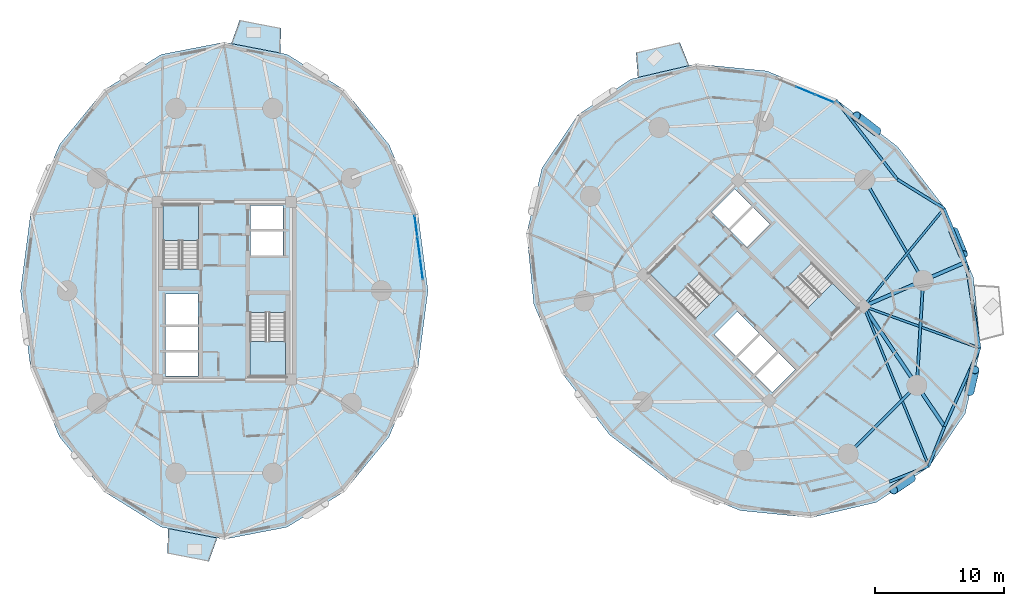
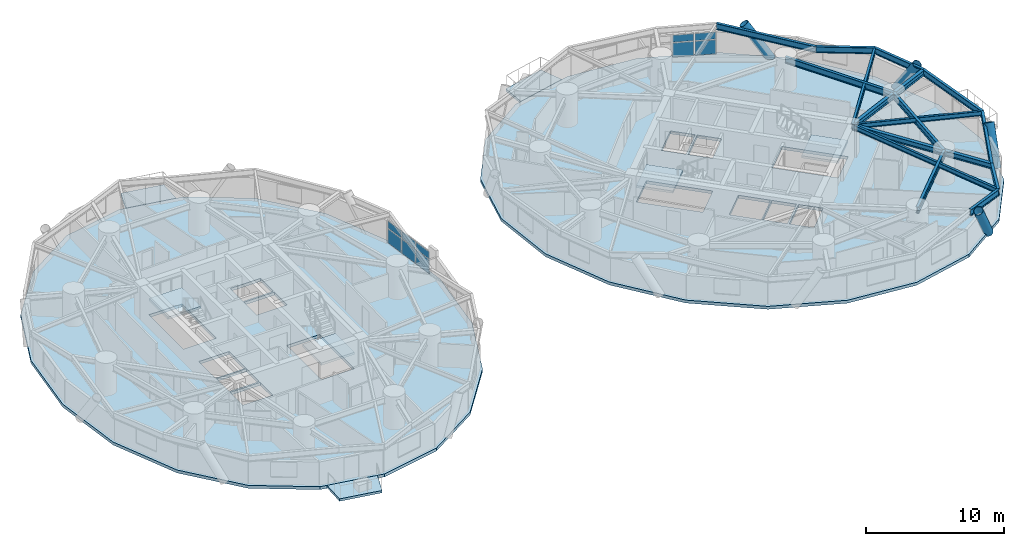
# One storey, part 7 of 19: 15 beams, 10 plates, 9 slabs, 4 members, 6 elements without a shape of their own.
"""IFC4 building model written with IfcOpenShell, lengths in metres."""

from ifc_helpers import new_model, si_unit, direction, frame, origin, origin_2d, place, context, subcontext, project, spatial, polyline, rectangle, hollow_circle, i_section, outline, extrude, source, transform, mapped, material, layer, layer_set, material_profile, profile_set, type_object, element, aggregate, save


model = new_model("IFC4")

# Units and contexts
model_context = context("Model", 3, precision=1e-05, world=origin(), true_north=direction((0.0, 1.0)))
body_context = subcontext(model_context, "Body", "Model", "MODEL_VIEW")
ifc_project = project(units=[si_unit("LENGTHUNIT", "METRE"), si_unit("AREAUNIT", "SQUARE_METRE"), si_unit("VOLUMEUNIT", "CUBIC_METRE"), si_unit("PLANEANGLEUNIT", "RADIAN"), si_unit("MASSUNIT", "GRAM", prefix="KILO")], contexts=[model_context])

# Site, building, storey
site_placement = place(None, origin())
site = spatial("IfcSite", under=ifc_project, at=site_placement, CompositionType="ELEMENT")
building_placement = place(site_placement, origin())
building = spatial("IfcBuilding", under=site, at=building_placement, Name="Cununo Teusaquillo Station Towers", CompositionType="ELEMENT")
storey_placement = place(building_placement, frame((0.0, 0.0, 42.3701171875)))
storey = spatial("IfcBuildingStorey", under=building, at=storey_placement, Name="L12", CompositionType="ELEMENT", Elevation=42.3701171875)

# Beams
ifc_material_1 = material(Name="Steel ASTM A572 Grade 50", Category="steel")
ifc_material_profile_1 = material_profile(ifc_material_1, i_section(OverallWidth=0.180908203125, OverallDepth=0.4169921875, WebThickness=0.010986328125, FlangeThickness=0.018310546875, FilletRadius=0.012939453125, at=origin_2d()), Name="W16X57")
ifc_profile_set_1 = profile_set([ifc_material_profile_1], Name="Steel ASTM A572 Grade 50")
beam_type_1 = type_object("IfcBeamType", Name="BM-JOIST-1", PredefinedType="JOIST", material=ifc_profile_set_1)
beam_1_placement = place(storey_placement, frame((66.024169921875, 23.29443359375, 2.44140625), z_axis=(0.377815437796, -0.92588092915, 0.0), x_axis=(0.92588092915, 0.377815437796, 0.0)))
element("IfcBeam", 1, at=beam_1_placement, inside=storey, type_object=beam_type_1, Name="L12 Tower B Radial Spandrel Joist V15", PredefinedType="JOIST", context=body_context, shape_type="SweptSolid", body=[
    extrude(i_section(OverallWidth=0.180908203125, OverallDepth=0.4169921875, WebThickness=0.010986328125, FlangeThickness=0.018310546875, FilletRadius=0.012939453125, at=origin_2d()), origin(), (0.0, 0.0, 1.0), 13.353515625),
])
beam_2_placement = place(storey_placement, frame((66.024169921875, 23.29443359375, 2.44140625), z_axis=(0.940761914171, -0.33906787056, 0.0), x_axis=(0.33906787056, 0.940761914171, 0.0)))
element("IfcBeam", 2, at=beam_2_placement, inside=storey, type_object=beam_type_1, Name="L12 Tower B Radial Spandrel Joist V17", PredefinedType="JOIST", context=body_context, shape_type="SweptSolid", body=[
    extrude(i_section(OverallWidth=0.180908203125, OverallDepth=0.4169921875, WebThickness=0.010986328125, FlangeThickness=0.018310546875, FilletRadius=0.012939453125, at=origin_2d()), origin(), (0.0, 0.0, 1.0), 9.552734375),
])
beam_3_placement = place(storey_placement, frame((66.024169921875, 23.29443359375, 2.44140625), z_axis=(0.635389148475, 0.772192093976, 0.0), x_axis=(-0.772192093976, 0.635389148475, 0.0)))
element("IfcBeam", 3, at=beam_3_placement, inside=storey, type_object=beam_type_1, Name="L12 Tower B Radial Spandrel Joist V19", PredefinedType="JOIST", context=body_context, shape_type="SweptSolid", body=[
    extrude(i_section(OverallWidth=0.180908203125, OverallDepth=0.4169921875, WebThickness=0.010986328125, FlangeThickness=0.018310546875, FilletRadius=0.012939453125, at=origin_2d()), origin(), (0.0, 0.0, 1.0), 9.82080078125),
])
ifc_material_2 = material(Name="Steel ASTM A572 Grade 50", Category="steel")
ifc_material_profile_2 = material_profile(ifc_material_2, i_section(OverallWidth=0.280029296875, OverallDepth=0.462890625, WebThickness=0.0107421875, FlangeThickness=0.017333984375, FilletRadius=0.013916015625, at=origin_2d()), Name="W18X76")
ifc_profile_set_2 = profile_set([ifc_material_profile_2], Name="Steel ASTM A572 Grade 50")
beam_type_2 = type_object("IfcBeamType", Name="BM-RAD-G1", PredefinedType="BEAM", material=ifc_profile_set_2)
beam_4_placement = place(storey_placement, frame((66.024169921875, 23.29443359375, 2.41845703125), z_axis=(0.558565249978, -0.829460584667, 0.0), x_axis=(0.829460584667, 0.558565249978, 0.0)))
element("IfcBeam", 4, at=beam_4_placement, inside=storey, type_object=beam_type_2, Name="L12 Tower B Continuous Overhanging Radial Girder 09", PredefinedType="BEAM", context=body_context, shape_type="SweptSolid", body=[
    extrude(i_section(OverallWidth=0.280029296875, OverallDepth=0.462890625, WebThickness=0.0107421875, FlangeThickness=0.017333984375, FilletRadius=0.013916015625, at=origin_2d()), origin(), (0.0, 0.0, 1.0), 11.22119140625),
])
beam_5_placement = place(storey_placement, frame((66.024169921875, 23.29443359375, 2.41845703125), z_axis=(0.91765947108, 0.397367707718, 0.0), x_axis=(-0.397367707718, 0.91765947108, 0.0)))
element("IfcBeam", 5, at=beam_5_placement, inside=storey, type_object=beam_type_2, Name="L12 Tower B Continuous Overhanging Radial Girder 10", PredefinedType="BEAM", context=body_context, shape_type="SweptSolid", body=[
    extrude(i_section(OverallWidth=0.280029296875, OverallDepth=0.462890625, WebThickness=0.0107421875, FlangeThickness=0.017333984375, FilletRadius=0.013916015625, at=origin_2d()), origin(), (0.0, 0.0, 1.0), 8.631591796875),
])
ifc_material_3 = material(Name="Steel ASTM A572 Grade 50", Category="steel")
ifc_material_profile_3 = material_profile(ifc_material_3, i_section(OverallWidth=0.214111328125, OverallDepth=0.549072265625, WebThickness=0.0146484375, FlangeThickness=0.023681640625, FilletRadius=0.014892578125, at=origin_2d()), Name="W21X93")
ifc_profile_set_3 = profile_set([ifc_material_profile_3], Name="Steel ASTM A572 Grade 50")
beam_type_3 = type_object("IfcBeamType", Name="BM-RING-Z1", PredefinedType="SPANDREL", material=ifc_profile_set_3)
beam_6_placement = place(storey_placement, frame((64.826904296875, 11.853759765625, 2.37548828125), z_axis=(0.707106781187, 0.707106781187, 0.0), x_axis=(-0.707106781187, 0.707106781187, 0.0)))
element("IfcBeam", 6, at=beam_6_placement, inside=storey, type_object=beam_type_3, Name="L12 Tower B Structural Column Ring Girder 08", PredefinedType="SPANDREL", context=body_context, shape_type="SweptSolid", body=[
    extrude(i_section(OverallWidth=0.214111328125, OverallDepth=0.549072265625, WebThickness=0.0146484375, FlangeThickness=0.023681640625, FilletRadius=0.014892578125, at=origin_2d()), origin(), (0.0, 0.0, 1.0), 7.522705078125),
])
beam_7_placement = place(storey_placement, frame((70.146240234375, 17.173095703125, 2.37548828125), z_axis=(0.06012979176, 0.998190567048, 0.0), x_axis=(-0.998190567048, 0.06012979176, 0.0)))
element("IfcBeam", 7, at=beam_7_placement, inside=storey, type_object=beam_type_3, Name="L12 Tower B Structural Column Ring Girder 09", PredefinedType="SPANDREL", context=body_context, shape_type="SweptSolid", body=[
    extrude(i_section(OverallWidth=0.214111328125, OverallDepth=0.549072265625, WebThickness=0.0146484375, FlangeThickness=0.023681640625, FilletRadius=0.014892578125, at=origin_2d()), origin(), (0.0, 0.0, 1.0), 8.132568359375),
])
beam_8_placement = place(storey_placement, frame((70.63525390625, 25.291015625, 2.37548828125), z_axis=(-0.501311121078, 0.865267103202, 0.0), x_axis=(-0.865267103202, -0.501311121078, 0.0)))
element("IfcBeam", 8, at=beam_8_placement, inside=storey, type_object=beam_type_3, Name="L12 Tower B Structural Column Ring Girder 10", PredefinedType="SPANDREL", context=body_context, shape_type="SweptSolid", body=[
    extrude(i_section(OverallWidth=0.214111328125, OverallDepth=0.549072265625, WebThickness=0.0146484375, FlangeThickness=0.023681640625, FilletRadius=0.014892578125, at=origin_2d()), origin(), (0.0, 0.0, 1.0), 9.032958984375),
])
beam_9_placement = place(storey_placement, frame((68.635986328125, 33.12841796875, 2.37548828125), z_axis=(-0.612801480015, 0.790236892388, 0.0), x_axis=(-0.790236892388, -0.612801480015, 0.0)))
element("IfcBeam", 9, at=beam_9_placement, inside=storey, type_object=beam_type_3, Name="L12 Tower B Spandrel Ring Beam 01", PredefinedType="SPANDREL", context=body_context, shape_type="SweptSolid", body=[
    extrude(i_section(OverallWidth=0.214111328125, OverallDepth=0.549072265625, WebThickness=0.0146484375, FlangeThickness=0.023681640625, FilletRadius=0.014892578125, at=origin_2d()), origin(), (0.0, 0.0, 1.0), 7.764404296875),
])
for number, where, z_axis, x_axis, name in (
    (10, (68.01318359375, 9.7080078125, 2.37548828125), (0.928456228871, 0.371441827304, 0.0), (-0.371441827304, 0.928456228871, 0.0), "L12 Tower B Spandrel Ring Beam 15"),
    (11, (71.0693359375, 10.9306640625, 2.37548828125), (0.371441827304, 0.928456228871, 0.0), (-0.928456228871, 0.371441827304, 0.0), "L12 Tower B Spandrel Ring Beam 16"),
):
    element("IfcBeam", number, at=place(storey_placement, frame(where, z_axis=z_axis, x_axis=x_axis)), inside=storey, type_object=beam_type_3, Name=name, PredefinedType="SPANDREL", context=body_context, shape_type="SweptSolid", body=[
        extrude(i_section(OverallWidth=0.214111328125, OverallDepth=0.549072265625, WebThickness=0.0146484375, FlangeThickness=0.023681640625, FilletRadius=0.014892578125, at=origin_2d()), origin(), (0.0, 0.0, 1.0), 3.291748046875),
    ])
beam_10_placement = place(storey_placement, frame((72.2919921875, 13.98681640625, 2.37548828125), z_axis=(0.408878798951, 0.912588695836, 0.0), x_axis=(-0.912588695836, 0.408878798951, 0.0)))
element("IfcBeam", 12, at=beam_10_placement, inside=storey, type_object=beam_type_3, Name="L12 Tower B Spandrel Ring Beam 17", PredefinedType="SPANDREL", context=body_context, shape_type="SweptSolid", body=[
    extrude(i_section(OverallWidth=0.214111328125, OverallDepth=0.549072265625, WebThickness=0.0146484375, FlangeThickness=0.023681640625, FilletRadius=0.014892578125, at=origin_2d()), origin(), (0.0, 0.0, 1.0), 6.64990234375),
])
beam_11_placement = place(storey_placement, frame((75.010986328125, 20.055419921875, 2.37548828125), z_axis=(-0.157829770834, 0.987466335344, 0.0), x_axis=(-0.987466335344, -0.157829770834, 0.0)))
element("IfcBeam", 13, at=beam_11_placement, inside=storey, type_object=beam_type_3, Name="L12 Tower B Spandrel Ring Beam 18", PredefinedType="SPANDREL", context=body_context, shape_type="SweptSolid", body=[
    extrude(i_section(OverallWidth=0.214111328125, OverallDepth=0.549072265625, WebThickness=0.0146484375, FlangeThickness=0.023681640625, FilletRadius=0.014892578125, at=origin_2d()), origin(), (0.0, 0.0, 1.0), 6.753662109375),
])
beam_12_placement = place(storey_placement, frame((73.945068359375, 26.724365234375, 2.37548828125), z_axis=(-0.375135909025, 0.926969821386, 0.0), x_axis=(-0.926969821386, -0.375135909025, 0.0)))
element("IfcBeam", 14, at=beam_12_placement, inside=storey, type_object=beam_type_3, Name="L12 Tower B Spandrel Ring Beam 19", PredefinedType="SPANDREL", context=body_context, shape_type="SweptSolid", body=[
    extrude(i_section(OverallWidth=0.214111328125, OverallDepth=0.549072265625, WebThickness=0.0146484375, FlangeThickness=0.023681640625, FilletRadius=0.014892578125, at=origin_2d()), origin(), (0.0, 0.0, 1.0), 4.480712890625),
])
beam_13_placement = place(storey_placement, frame((72.26416015625, 30.8779296875, 2.37548828125), z_axis=(-0.849795627585, 0.527112313779, 0.0), x_axis=(-0.527112313779, -0.849795627585, 0.0)))
element("IfcBeam", 15, at=beam_13_placement, inside=storey, type_object=beam_type_3, Name="L12 Tower B Spandrel Ring Beam 20", PredefinedType="SPANDREL", context=body_context, shape_type="SweptSolid", body=[
    extrude(i_section(OverallWidth=0.214111328125, OverallDepth=0.549072265625, WebThickness=0.0146484375, FlangeThickness=0.023681640625, FilletRadius=0.014892578125, at=origin_2d()), origin(), (0.0, 0.0, 1.0), 4.26953125),
])

# Members
ifc_material_4 = material(Name="Steel EN 10025-2 S355J2", Category="steel")
ifc_material_profile_4 = material_profile(ifc_material_4, hollow_circle(Radius=0.360107421875, WallThickness=0.028076171875, at=origin_2d()), Name="CHS 720x28")
ifc_profile_set_4 = profile_set([ifc_material_profile_4], Name="Steel EN 10025-2 S355J2")
member_type = type_object("IfcMemberType", Name="MBR-DIAG-Z1", PredefinedType="BRACE", material=ifc_profile_set_4)
member_1_placement = place(storey_placement, frame((67.035888671875, 36.831298828125, -0.14013671875), z_axis=(-0.447692466526, 0.344905930844, 0.824991729828), x_axis=(-0.610296565482, -0.792173025394, 0.0)))
element("IfcMember", 16, at=member_1_placement, inside=storey, type_object=member_type, Name="L12 Tower B Folded-Zigzag Diagrid Tube C00", PredefinedType="BRACE", context=body_context, shape_type="SweptSolid", body=[
    extrude(hollow_circle(Radius=0.360107421875, WallThickness=0.028076171875, at=origin_2d()), origin(), (0.0, 0.0, 1.0), 3.527099609375),
])
member_2_placement = place(storey_placement, frame((69.703125, 10.007080078125, -0.14013671875), z_axis=(-0.408468387245, -0.276132221041, 0.870002628229), x_axis=(0.560052437376, -0.828457160866, 0.0)))
element("IfcMember", 17, at=member_2_placement, inside=storey, type_object=member_type, Name="L12 Tower B Folded-Zigzag Diagrid Tube C14", PredefinedType="BRACE", context=body_context, shape_type="SweptSolid", body=[
    extrude(hollow_circle(Radius=0.360107421875, WallThickness=0.028076171875, at=origin_2d()), origin(), (0.0, 0.0, 1.0), 3.3447265625),
])
member_3_placement = place(storey_placement, frame((74.23046875, 16.70458984375, -0.14013671875), z_axis=(0.115410822859, 0.495659873141, 0.860814516679), x_axis=(-0.973946828543, 0.226776487252, 0.0)))
element("IfcMember", 18, at=member_3_placement, inside=storey, type_object=member_type, Name="L12 Tower B Folded-Zigzag Diagrid Tube C16", PredefinedType="BRACE", context=body_context, shape_type="SweptSolid", body=[
    extrude(hollow_circle(Radius=0.360107421875, WallThickness=0.028076171875, at=origin_2d()), origin(), (0.0, 0.0, 1.0), 3.38037109375),
])
member_4_placement = place(storey_placement, frame((72.998779296875, 29.0908203125, -0.14013671875), z_axis=(0.210304590189, -0.511678266791, 0.83304101378), x_axis=(0.924923854391, 0.380152421508, 0.0)))
element("IfcMember", 19, at=member_4_placement, inside=storey, type_object=member_type, Name="L12 Tower B Folded-Zigzag Diagrid Tube C18", PredefinedType="BRACE", context=body_context, shape_type="SweptSolid", body=[
    extrude(hollow_circle(Radius=0.360107421875, WallThickness=0.028076171875, at=origin_2d()), origin(), (0.0, 0.0, 1.0), 3.4931640625),
])

# Slabs
ifc_material_5 = material(Name="Concrete C50/60", Category="concrete")
ifc_layer_1 = layer(ifc_material_5, 0.2099609375)
ifc_layer_set_1 = layer_set([ifc_layer_1], Name="Concrete C50/60")
slab_type_1 = type_object("IfcSlabType", Name="SLB-BAL-210", PredefinedType="FLOOR", material=ifc_layer_set_1)
slab_1_placement = place(storey_placement, frame((0.0, 0.0, -0.210205078125)))
element("IfcSlab", 20, at=slab_1_placement, inside=storey, type_object=slab_type_1, Name="L12 Tower A Sky Garden Terrace Slab 1", PredefinedType="FLOOR", context=body_context, shape_type="SweptSolid", body=[
    extrude(outline(polyline([(20.8369140625, 42.9169921875), (17.041015625, 43.650634765625), (17.69873046875, 45.473876953125), (20.90576171875, 44.854248046875), (20.8369140625, 42.9169921875)])), origin(), (0.0, 0.0, 1.0), 0.210205078125),
])
slab_2_placement = place(storey_placement, frame((0.0, 0.0, -0.210205078125)))
element("IfcSlab", 21, at=slab_2_placement, inside=storey, type_object=slab_type_1, Name="L12 Tower A Tree Balcony Slab 2", PredefinedType="FLOOR", context=body_context, shape_type="SweptSolid", body=[
    extrude(outline(polyline([(12.1630859375, 6.0830078125), (15.958984375, 5.349365234375), (15.30126953125, 3.526123046875), (12.09423828125, 4.145751953125), (12.1630859375, 6.0830078125)])), origin(), (0.0, 0.0, 1.0), 0.210205078125),
])
slab_3_placement = place(storey_placement, frame((0.0, 0.0, -0.210205078125)))
element("IfcSlab", 22, at=slab_3_placement, inside=storey, type_object=slab_type_1, Name="L12 Tower B Sky Garden Terrace Slab 1", PredefinedType="FLOOR", context=body_context, shape_type="SweptSolid", body=[
    extrude(outline(polyline([(52.50927734375, 41.9501953125), (48.536865234375, 41.023193359375), (48.393798828125, 42.956298828125), (51.781982421875, 43.7470703125), (52.50927734375, 41.9501953125)])), origin(), (0.0, 0.0, 1.0), 0.210205078125),
])

# Stair, slab
ifc_material_6 = material(Name="Concrete C50/60", Category="concrete")
stair_type = type_object("IfcStairType", Name="ST-TWR-1300", PredefinedType="HALF_TURN_STAIR", material=ifc_material_6)
stair_1_placement = place(storey_placement, origin())
stair_1 = element("IfcStair", 23, at=stair_1_placement, inside=storey, type_object=stair_type, Name="L12 Tower A Protected Core Exit Stair 1", PredefinedType="HALF_TURN_STAIR")
ifc_material_7 = material(Name="Concrete C50/60", Category="concrete")
ifc_layer_2 = layer(ifc_material_7, 0.199951171875)
ifc_layer_set_2 = layer_set([ifc_layer_2], Name="Concrete C50/60")
slab_type_2 = type_object("IfcSlabType", Name="SLB-STAIR-LND", PredefinedType="LANDING", material=ifc_layer_set_2)
slab_4_placement = place(storey_placement, frame((0.0, 0.0, 1.2548828125)))
slab_4 = element("IfcSlab", 24, at=slab_4_placement, type_object=slab_type_2, Name="ST-T1-1 landing 1", PredefinedType="LANDING", context=body_context, shape_type="SweptSolid", body=[
    extrude(outline(polyline([(14.52001953125, 28.409912109375), (14.52001953125, 31.159912109375), (11.760009765625, 31.159912109375), (11.760009765625, 28.409912109375), (14.52001953125, 28.409912109375)])), origin(), (0.0, 0.0, 1.0), 0.199951171875),
])
aggregate(stair_1, [slab_4])

stair_2_placement = place(storey_placement, origin())
stair_2 = element("IfcStair", 25, at=stair_2_placement, inside=storey, type_object=stair_type, Name="L12 Tower A Protected Core Exit Stair 2", PredefinedType="HALF_TURN_STAIR")
slab_5_placement = place(storey_placement, frame((0.0, 0.0, 1.2548828125)))
slab_5 = element("IfcSlab", 26, at=slab_5_placement, type_object=slab_type_2, Name="ST-T1-2 landing 1", PredefinedType="LANDING", context=body_context, shape_type="SweptSolid", body=[
    extrude(outline(polyline([(18.47998046875, 20.590087890625), (18.47998046875, 17.840087890625), (21.239990234375, 17.840087890625), (21.239990234375, 20.590087890625), (18.47998046875, 20.590087890625)])), origin(), (0.0, 0.0, 1.0), 0.199951171875),
])
aggregate(stair_2, [slab_5])

stair_3_placement = place(storey_placement, origin())
stair_3 = element("IfcStair", 27, at=stair_3_placement, inside=storey, type_object=stair_type, Name="L12 Tower B Protected Core Exit Stair 1", PredefinedType="HALF_TURN_STAIR")
slab_6_placement = place(storey_placement, frame((0.0, 0.0, 1.2548828125)))
slab_6 = element("IfcSlab", 28, at=slab_6_placement, type_object=slab_type_2, Name="ST-T2-1 landing 1", PredefinedType="LANDING", context=body_context, shape_type="SweptSolid", body=[
    extrude(outline(polyline([(53.335205078125, 25.86474609375), (51.390625, 27.809326171875), (49.43896484375, 25.857666015625), (51.383544921875, 23.9130859375), (53.335205078125, 25.86474609375)])), origin(), (0.0, 0.0, 1.0), 0.199951171875),
])
aggregate(stair_3, [slab_6])

stair_4_placement = place(storey_placement, origin())
stair_4 = element("IfcStair", 29, at=stair_4_placement, inside=storey, type_object=stair_type, Name="L12 Tower B Protected Core Exit Stair 2", PredefinedType="HALF_TURN_STAIR")
slab_7_placement = place(storey_placement, frame((0.0, 0.0, 1.2548828125)))
slab_7 = element("IfcSlab", 30, at=slab_7_placement, type_object=slab_type_2, Name="ST-T2-2 landing 1", PredefinedType="LANDING", context=body_context, shape_type="SweptSolid", body=[
    extrude(outline(polyline([(61.664794921875, 23.13525390625), (63.609375, 21.190673828125), (65.56103515625, 23.142333984375), (63.616455078125, 25.0869140625), (61.664794921875, 23.13525390625)])), origin(), (0.0, 0.0, 1.0), 0.199951171875),
])
aggregate(stair_4, [slab_7])

# Slabs
ifc_material_8 = material(Name="Concrete C50/60", Category="concrete")
ifc_layer_3 = layer(ifc_material_8, 0.260009765625)
ifc_layer_set_3 = layer_set([ifc_layer_3], Name="Concrete C50/60")
slab_type_3 = type_object("IfcSlabType", Name="SLB-Z1-260", PredefinedType="FLOOR", material=ifc_layer_set_3)
slab_8_placement = place(storey_placement, frame((0.0, 0.0, -0.260009765625)))
element("IfcSlab", 31, at=slab_8_placement, inside=storey, type_object=slab_type_3, Name="L12 Tower A Floor Slab", PredefinedType="FLOOR", context=body_context, shape_type="SweptSolid", body=[
    extrude(outline(polyline([(32.279052734375, 24.5), (31.506591796875, 30.448486328125), (29.265380859375, 35.81494140625), (25.774658203125, 40.073486328125), (21.3759765625, 42.807861328125), (16.5, 43.75), (11.6240234375, 42.807861328125), (7.225341796875, 40.073486328125), (3.734619140625, 35.81494140625), (1.493408203125, 30.448486328125), (0.720947265625, 24.5), (1.493408203125, 18.551513671875), (3.734619140625, 13.18505859375), (7.225341796875, 8.926513671875), (11.6240234375, 6.192138671875), (16.5, 5.25), (21.3759765625, 6.192138671875), (25.774658203125, 8.926513671875), (29.265380859375, 13.18505859375), (31.506591796875, 18.551513671875), (32.279052734375, 24.5)]), holes=[polyline([(14.52001953125, 26.176025390625), (14.52001953125, 31.159912109375), (11.760009765625, 31.159912109375), (11.760009765625, 26.176025390625), (14.52001953125, 26.176025390625)]), polyline([(18.47998046875, 22.823974609375), (18.47998046875, 17.840087890625), (21.239990234375, 17.840087890625), (21.239990234375, 22.823974609375), (18.47998046875, 22.823974609375)]), polyline([(11.949951171875, 21.85009765625), (14.47998046875, 21.85009765625), (14.47998046875, 24.25), (11.949951171875, 24.25), (11.949951171875, 21.85009765625)]), polyline([(11.949951171875, 17.89990234375), (14.47998046875, 17.89990234375), (14.47998046875, 19.75), (11.949951171875, 19.75), (11.949951171875, 17.89990234375)]), polyline([(11.949951171875, 19.89990234375), (14.47998046875, 19.89990234375), (14.47998046875, 21.75), (11.949951171875, 21.75), (11.949951171875, 19.89990234375)]), polyline([(18.52001953125, 27.25), (21.050048828125, 27.25), (21.050048828125, 29.10009765625), (18.52001953125, 29.10009765625), (18.52001953125, 27.25)]), polyline([(18.52001953125, 29.25), (21.050048828125, 29.25), (21.050048828125, 31.10009765625), (18.52001953125, 31.10009765625), (18.52001953125, 29.25)])]), origin(), (0.0, 0.0, 1.0), 0.260009765625),
])
slab_9_placement = place(storey_placement, frame((0.0, 0.0, -0.260009765625)))
element("IfcSlab", 32, at=slab_9_placement, inside=storey, type_object=slab_type_3, Name="L12 Tower B Floor Slab", PredefinedType="FLOOR", context=body_context, shape_type="SweptSolid", body=[
    extrude(outline(polyline([(68.657470703125, 35.657470703125), (63.905029296875, 39.317626953125), (58.525634765625, 41.52734375), (53.0458984375, 42.0703125), (48.002197265625, 40.893310546875), (43.88818359375, 38.11181640625), (41.106689453125, 33.997802734375), (39.9296875, 28.9541015625), (40.47265625, 23.474365234375), (42.682373046875, 18.094970703125), (46.342529296875, 13.342529296875), (51.094970703125, 9.682373046875), (56.474365234375, 7.47265625), (61.9541015625, 6.9296875), (66.997802734375, 8.106689453125), (71.11181640625, 10.88818359375), (73.893310546875, 15.002197265625), (75.0703125, 20.0458984375), (74.52734375, 25.525634765625), (72.317626953125, 30.905029296875), (68.657470703125, 35.657470703125)]), holes=[polyline([(54.914794921875, 24.28515625), (51.390625, 27.809326171875), (49.43896484375, 25.857666015625), (52.963134765625, 22.33349609375), (54.914794921875, 24.28515625)]), polyline([(60.085205078125, 24.71484375), (63.609375, 21.190673828125), (65.56103515625, 23.142333984375), (62.036865234375, 26.66650390625), (60.085205078125, 24.71484375)]), polyline([(56.156494140625, 19.40869140625), (57.945556640625, 21.19775390625), (56.248291015625, 22.89501953125), (54.45947265625, 21.10595703125), (56.156494140625, 19.40869140625)]), polyline([(58.94970703125, 16.61572265625), (60.738525390625, 18.40478515625), (59.430419921875, 19.712890625), (57.641357421875, 17.923828125), (58.94970703125, 16.61572265625)]), polyline([(57.535400390625, 18.030029296875), (59.32421875, 19.819091796875), (58.01611328125, 21.127197265625), (56.227294921875, 19.338134765625), (57.535400390625, 18.030029296875)]), polyline([(56.98388671875, 27.872802734375), (58.772705078125, 29.661865234375), (57.464599609375, 30.969970703125), (55.67578125, 29.180908203125), (56.98388671875, 27.872802734375)]), polyline([(55.569580078125, 29.287109375), (57.358642578125, 31.076171875), (56.05029296875, 32.38427734375), (54.261474609375, 30.59521484375), (55.569580078125, 29.287109375)])]), origin(), (0.0, 0.0, 1.0), 0.260009765625),
])

# Curtain wall, plates
ifc_material_9 = material(Name="Ceramic-fritted dark low-E double glazing", Category="glass")
ifc_layer_4 = layer(ifc_material_9, 0.179931640625)
ifc_layer_set_4 = layer_set([ifc_layer_4], Name="Ceramic-fritted dark low-E double glazing")
curtain_wall_type = type_object("IfcCurtainWallType", Name="CW-SYS-02", PredefinedType="USERDEFINED", material=ifc_layer_set_4)
curtain_wall_1_placement = place(storey_placement, origin())
curtain_wall_1 = element("IfcCurtainWall", 33, at=curtain_wall_1_placement, inside=storey, type_object=curtain_wall_type, Name="L12 Tower A Facade Curtain Wall C00", ObjectType="FRITTED GLAZING", PredefinedType="USERDEFINED")
ifc_material_10 = material(Name="Ceramic-fritted dark low-E double glazing", Category="glass")
ifc_layer_5 = layer(ifc_material_10, 0.028076171875)
ifc_layer_set_5 = layer_set([ifc_layer_5], Name="Ceramic-fritted dark low-E double glazing")
plate_type = type_object("IfcPlateType", Name="CWP-FRIT-28", PredefinedType="CURTAIN_PANEL", material=ifc_layer_set_5)
shared_shape_1 = source(origin(), body_context, "Body", "SweptSolid", [
    extrude(rectangle(XDim=1.58203125, YDim=0.028076171875, at=origin_2d()), origin(), (0.0, 0.0, 1.0), 1.241943359375),
])
plate_1_placement = place(storey_placement, frame((31.350830078125, 29.50830078125, 0.06982421875), z_axis=(0.0, 0.0, 1.0), x_axis=(0.128335588771, -0.991730798481, 0.0)))
plate_1 = element("IfcPlate", 34, at=plate_1_placement, type_object=plate_type, Name="CW-02 panel 1.1", PredefinedType="CURTAIN_PANEL", context=body_context, shape_type="MappedRepresentation", body=[
    mapped(shared_shape_1, transform((0.0, 0.0, 0.0), x_axis=(1.0, 0.0, 0.0), y_axis=(0.0, 1.0, 0.0), z_axis=(0.0, 0.0, 1.0), scale=1.0)),
])
plate_2_placement = place(storey_placement, frame((31.779296875, 26.19677734375, 0.06982421875), z_axis=(0.0, 0.0, 1.0), x_axis=(0.128335588771, -0.991730798481, 0.0)))
plate_2 = element("IfcPlate", 35, at=plate_2_placement, type_object=plate_type, Name="CW-02 panel 3.1", PredefinedType="CURTAIN_PANEL", context=body_context, shape_type="MappedRepresentation", body=[
    mapped(shared_shape_1, transform((0.0, 0.0, 0.0), x_axis=(1.0, 0.0, 0.0), y_axis=(0.0, 1.0, 0.0), z_axis=(0.0, 0.0, 1.0), scale=1.0)),
])
shared_shape_2 = source(origin(), body_context, "Body", "SweptSolid", [
    extrude(rectangle(XDim=1.58203125, YDim=0.028076171875, at=origin_2d()), origin(), (0.0, 0.0, 1.0), 0.62109375),
])
plate_3_placement = place(storey_placement, frame((31.350830078125, 29.50830078125, 1.3818359375), z_axis=(0.0, 0.0, 1.0), x_axis=(0.128335588771, -0.991730798481, 0.0)))
plate_3 = element("IfcPlate", 36, at=plate_3_placement, type_object=plate_type, Name="CW-02 panel 1.2", PredefinedType="CURTAIN_PANEL", context=body_context, shape_type="MappedRepresentation", body=[
    mapped(shared_shape_2, transform((0.0, 0.0, 0.0), x_axis=(1.0, 0.0, 0.0), y_axis=(0.0, 1.0, 0.0), z_axis=(0.0, 0.0, 1.0), scale=1.0)),
])
plate_4_placement = place(storey_placement, frame((31.779296875, 26.19677734375, 1.3818359375), z_axis=(0.0, 0.0, 1.0), x_axis=(0.128335588771, -0.991730798481, 0.0)))
plate_4 = element("IfcPlate", 37, at=plate_4_placement, type_object=plate_type, Name="CW-02 panel 3.2", PredefinedType="CURTAIN_PANEL", context=body_context, shape_type="MappedRepresentation", body=[
    mapped(shared_shape_2, transform((0.0, 0.0, 0.0), x_axis=(1.0, 0.0, 0.0), y_axis=(0.0, 1.0, 0.0), z_axis=(0.0, 0.0, 1.0), scale=1.0)),
])
shared_shape_3 = source(origin(), body_context, "Body", "SweptSolid", [
    extrude(rectangle(XDim=1.616943359375, YDim=0.028076171875, at=origin_2d()), origin(), (0.0, 0.0, 1.0), 1.241943359375),
])
plate_5_placement = place(storey_placement, frame((31.565185546875, 27.8525390625, 0.06982421875), z_axis=(0.0, 0.0, 1.0), x_axis=(0.128335588771, -0.991730798481, 0.0)))
plate_5 = element("IfcPlate", 38, at=plate_5_placement, type_object=plate_type, Name="CW-02 panel 2.1", PredefinedType="CURTAIN_PANEL", context=body_context, shape_type="MappedRepresentation", body=[
    mapped(shared_shape_3, transform((0.0, 0.0, 0.0), x_axis=(1.0, 0.0, 0.0), y_axis=(0.0, 1.0, 0.0), z_axis=(0.0, 0.0, 1.0), scale=1.0)),
])
shared_shape_4 = source(origin(), body_context, "Body", "SweptSolid", [
    extrude(rectangle(XDim=1.616943359375, YDim=0.028076171875, at=origin_2d()), origin(), (0.0, 0.0, 1.0), 0.62109375),
])
plate_6_placement = place(storey_placement, frame((31.565185546875, 27.8525390625, 1.3818359375), z_axis=(0.0, 0.0, 1.0), x_axis=(0.128335588771, -0.991730798481, 0.0)))
plate_6 = element("IfcPlate", 39, at=plate_6_placement, type_object=plate_type, Name="CW-02 panel 2.2", PredefinedType="CURTAIN_PANEL", context=body_context, shape_type="MappedRepresentation", body=[
    mapped(shared_shape_4, transform((0.0, 0.0, 0.0), x_axis=(1.0, 0.0, 0.0), y_axis=(0.0, 1.0, 0.0), z_axis=(0.0, 0.0, 1.0), scale=1.0)),
])
aggregate(curtain_wall_1, [plate_1, plate_3, plate_5, plate_6, plate_2, plate_4])

curtain_wall_2_placement = place(storey_placement, origin())
curtain_wall_2 = element("IfcCurtainWall", 40, at=curtain_wall_2_placement, inside=storey, type_object=curtain_wall_type, Name="L12 Tower B Facade Curtain Wall C01", ObjectType="FRITTED GLAZING", PredefinedType="USERDEFINED")
shared_shape_5 = source(origin(), body_context, "Body", "SweptSolid", [
    extrude(rectangle(XDim=1.52099609375, YDim=0.028076171875, at=origin_2d()), origin(), (0.0, 0.0, 1.0), 1.241943359375),
])
plate_7_placement = place(storey_placement, frame((63.010009765625, 39.384765625, 0.06982421875), z_axis=(0.0, 0.0, 1.0), x_axis=(0.924552379146, -0.381054980568, 0.0)))
plate_7 = element("IfcPlate", 41, at=plate_7_placement, type_object=plate_type, Name="CW-02 panel 3.1", PredefinedType="CURTAIN_PANEL", context=body_context, shape_type="MappedRepresentation", body=[
    mapped(shared_shape_5, transform((0.0, 0.0, 0.0), x_axis=(1.0, 0.0, 0.0), y_axis=(0.0, 1.0, 0.0), z_axis=(0.0, 0.0, 1.0), scale=1.0)),
])
shared_shape_6 = source(origin(), body_context, "Body", "SweptSolid", [
    extrude(rectangle(XDim=1.52099609375, YDim=0.028076171875, at=origin_2d()), origin(), (0.0, 0.0, 1.0), 0.62109375),
])
plate_8_placement = place(storey_placement, frame((63.010009765625, 39.384765625, 1.3818359375), z_axis=(0.0, 0.0, 1.0), x_axis=(0.924552379146, -0.381054980568, 0.0)))
plate_8 = element("IfcPlate", 42, at=plate_8_placement, type_object=plate_type, Name="CW-02 panel 3.2", PredefinedType="CURTAIN_PANEL", context=body_context, shape_type="MappedRepresentation", body=[
    mapped(shared_shape_6, transform((0.0, 0.0, 0.0), x_axis=(1.0, 0.0, 0.0), y_axis=(0.0, 1.0, 0.0), z_axis=(0.0, 0.0, 1.0), scale=1.0)),
])
shared_shape_7 = source(origin(), body_context, "Body", "SweptSolid", [
    extrude(rectangle(XDim=1.555908203125, YDim=0.028076171875, at=origin_2d()), origin(), (0.0, 0.0, 1.0), 1.241943359375),
])
plate_9_placement = place(storey_placement, frame((61.52294921875, 39.99755859375, 0.06982421875), z_axis=(0.0, 0.0, 1.0), x_axis=(0.924552379146, -0.381054980568, 0.0)))
plate_9 = element("IfcPlate", 43, at=plate_9_placement, type_object=plate_type, Name="CW-02 panel 2.1", PredefinedType="CURTAIN_PANEL", context=body_context, shape_type="MappedRepresentation", body=[
    mapped(shared_shape_7, transform((0.0, 0.0, 0.0), x_axis=(1.0, 0.0, 0.0), y_axis=(0.0, 1.0, 0.0), z_axis=(0.0, 0.0, 1.0), scale=1.0)),
])
shared_shape_8 = source(origin(), body_context, "Body", "SweptSolid", [
    extrude(rectangle(XDim=1.555908203125, YDim=0.028076171875, at=origin_2d()), origin(), (0.0, 0.0, 1.0), 0.62109375),
])
plate_10_placement = place(storey_placement, frame((61.52294921875, 39.99755859375, 1.3818359375), z_axis=(0.0, 0.0, 1.0), x_axis=(0.924552379146, -0.381054980568, 0.0)))
plate_10 = element("IfcPlate", 44, at=plate_10_placement, type_object=plate_type, Name="CW-02 panel 2.2", PredefinedType="CURTAIN_PANEL", context=body_context, shape_type="MappedRepresentation", body=[
    mapped(shared_shape_8, transform((0.0, 0.0, 0.0), x_axis=(1.0, 0.0, 0.0), y_axis=(0.0, 1.0, 0.0), z_axis=(0.0, 0.0, 1.0), scale=1.0)),
])
aggregate(curtain_wall_2, [plate_9, plate_10, plate_7, plate_8])

save(model, "model.ifc")
